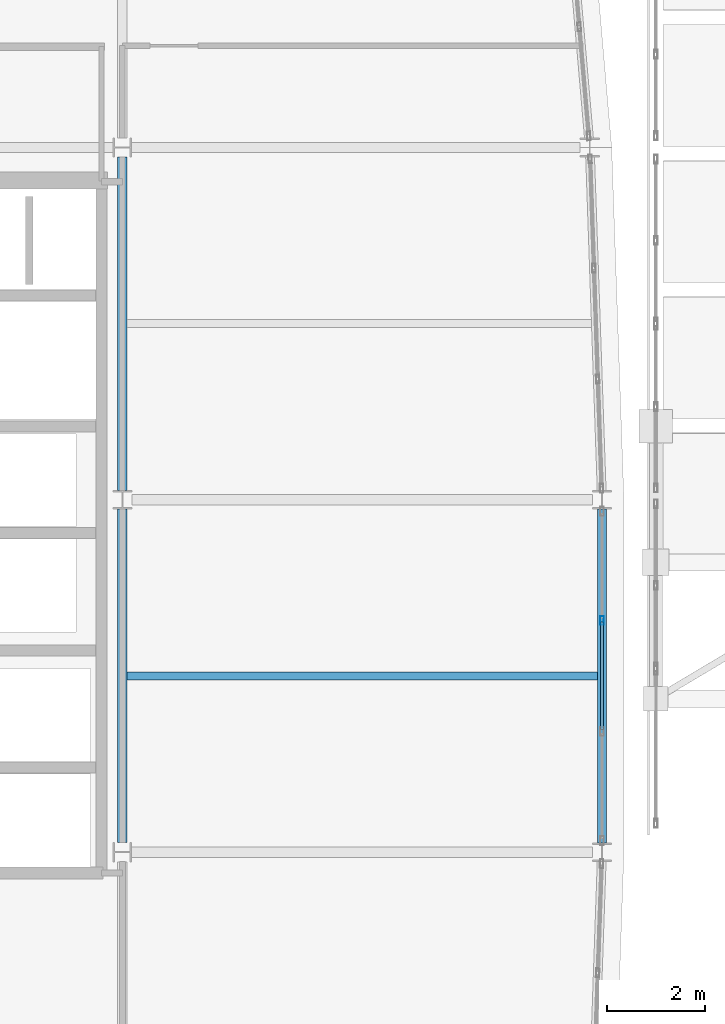
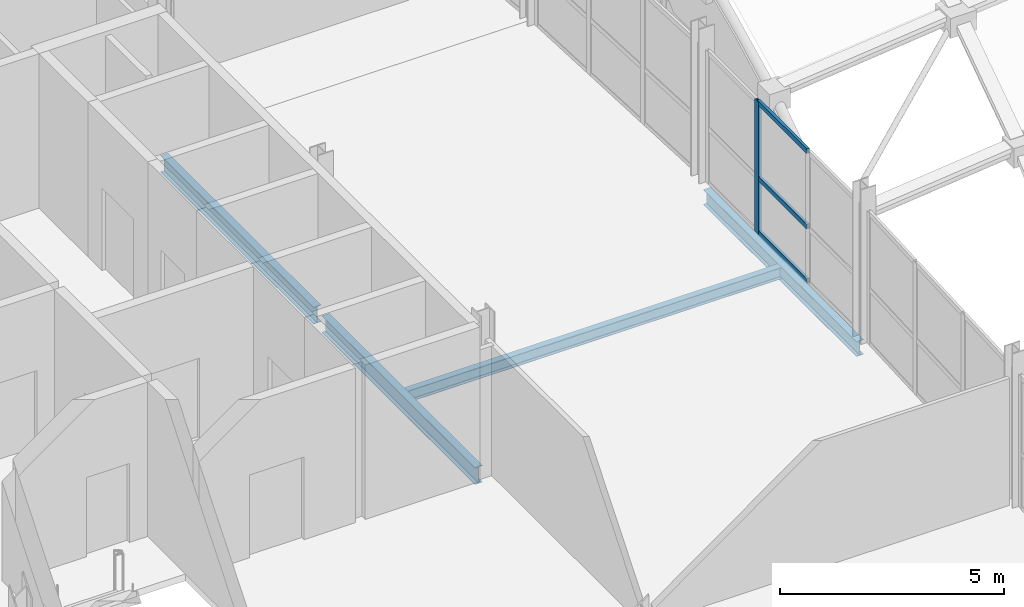
# One storey, part 19 of 65: 4 beams, 4 members, 1 element without a shape of its own.
"""IFC4 building model written with IfcOpenShell, lengths in metres."""

from ifc_helpers import new_model, si_unit, direction, frame, origin, origin_2d, place, context, subcontext, project, spatial, hollow_rectangle, i_section, extrude, material, layer, layer_set, material_profile, profile_set, type_object, element, aggregate, save


model = new_model("IFC4")

# Units and contexts
model_context = context("Model", 3, precision=1e-05, world=origin(), true_north=direction((0.0, 1.0)))
body_context = subcontext(model_context, "Body", "Model", "MODEL_VIEW")
ifc_project = project(units=[si_unit("LENGTHUNIT", "METRE"), si_unit("AREAUNIT", "SQUARE_METRE"), si_unit("VOLUMEUNIT", "CUBIC_METRE"), si_unit("PLANEANGLEUNIT", "RADIAN"), si_unit("MASSUNIT", "GRAM", prefix="KILO")], contexts=[model_context])

# Site, building, storey
site_placement = place(None, origin())
site = spatial("IfcSite", under=ifc_project, at=site_placement, CompositionType="ELEMENT")
building_placement = place(site_placement, origin())
building = spatial("IfcBuilding", under=site, at=building_placement, Name="Quillay Park Conservatory", CompositionType="ELEMENT")
storey_placement = place(building_placement, frame((0.0, 0.0, 14.10009765625)))
storey = spatial("IfcBuildingStorey", under=building, at=storey_placement, Name="L03", CompositionType="ELEMENT", Elevation=14.10009765625)

# Beam
ifc_material_1 = material(Name="Steel ASTM A992 Grade 50", Category="steel")
ifc_material_profile_1 = material_profile(ifc_material_1, i_section(OverallWidth=0.166015625, OverallDepth=0.31298828125, WebThickness=0.006591796875, FlangeThickness=0.01123046875, FilletRadius=0.010009765625, at=origin_2d()), Name="W310x45")
ifc_profile_set_1 = profile_set([ifc_material_profile_1], Name="Steel ASTM A992 Grade 50")
beam_type_1 = type_object("IfcBeamType", Name="COMPOSITE FLOOR JOIST W310 X45", PredefinedType="JOIST", material=ifc_profile_set_1)
beam_1_placement = place(storey_placement, frame((19.845947265625, 88.800048828125, -0.341552734375), z_axis=(1.0, 0.0, 0.0), x_axis=(0.0, 1.0, 0.0)))
element("IfcBeam", 1, at=beam_1_placement, inside=storey, type_object=beam_type_1, Name="L03 beam BM-J-0291", PredefinedType="JOIST", context=body_context, shape_type="SweptSolid", body=[
    extrude(i_section(OverallWidth=0.166015625, OverallDepth=0.31298828125, WebThickness=0.006591796875, FlangeThickness=0.01123046875, FilletRadius=0.010009765625, at=origin_2d()), origin(), (0.0, 0.0, 1.0), 9.614013671875),
])

# Curtain wall, members
ifc_material_2 = material(Name="Thermally Broken Anodised Aluminium 6063-T6", Category="aluminium")
ifc_layer = layer(ifc_material_2, 0.179931640625)
ifc_layer_set = layer_set([ifc_layer], Name="UNITISED CURTAIN WALL TOWER (Thermally Broken Anodised Aluminium 6063-T6)")
curtain_wall_type = type_object("IfcCurtainWallType", Name="UNITISED CURTAIN WALL TOWER", PredefinedType="USERDEFINED", material=ifc_layer_set)
curtain_wall_placement = place(storey_placement, origin())
curtain_wall = element("IfcCurtainWall", 2, at=curtain_wall_placement, inside=storey, type_object=curtain_wall_type, Name="L03 Unitised Curtain Wall 031", ObjectType="UNITISED CURTAIN WALL", PredefinedType="USERDEFINED")
ifc_material_3 = material(Name="Thermally Broken Anodised Aluminium 6063-T6", Category="aluminium")
ifc_material_profile_2 = material_profile(ifc_material_3, hollow_rectangle(XDim=0.070068359375, YDim=0.179931640625, WallThickness=0.00390625, at=origin_2d()), Name="AL70x180x4")
ifc_profile_set_2 = profile_set([ifc_material_profile_2], Name="Thermally Broken Anodised Aluminium 6063-T6")
member_type_1 = type_object("IfcMemberType", Name="CURTAIN WALL MULLION 70 X180", PredefinedType="MULLION", material=ifc_profile_set_2)
member_1_placement = place(storey_placement, frame((29.550048828125, 89.933349609375, 0.0), z_axis=(0.0, 0.0, 1.0), x_axis=(1.0, 0.0, 0.0)))
member_1 = element("IfcMember", 3, at=member_1_placement, type_object=member_type_1, Name="CW-T1 mullion 2", PredefinedType="MULLION", context=body_context, shape_type="SweptSolid", body=[
    extrude(hollow_rectangle(XDim=0.070068359375, YDim=0.179931640625, WallThickness=0.00390625, at=origin_2d()), origin(), (0.0, 0.0, 1.0), 3.598876953125),
])
ifc_material_4 = material(Name="Thermally Broken Anodised Aluminium 6063-T6", Category="aluminium")
ifc_material_profile_3 = material_profile(ifc_material_4, hollow_rectangle(XDim=0.070068359375, YDim=0.1298828125, WallThickness=0.003173828125, at=origin_2d()), Name="AL70x130x3.2")
ifc_profile_set_3 = profile_set([ifc_material_profile_3], Name="Thermally Broken Anodised Aluminium 6063-T6")
member_type_2 = type_object("IfcMemberType", Name="CURTAIN WALL TRANSOM 70 X130", PredefinedType="USERDEFINED", material=ifc_profile_set_3)
member_2_placement = place(storey_placement, frame((29.550048828125, 89.8984375, 0.034912109375), z_axis=(0.0, -1.0, 0.0), x_axis=(1.0, 0.0, 0.0)))
member_2 = element("IfcMember", 4, at=member_2_placement, type_object=member_type_2, Name="CW-T1 transom 2.1", ObjectType="TRANSOM", PredefinedType="USERDEFINED", context=body_context, shape_type="SweptSolid", body=[
    extrude(hollow_rectangle(XDim=0.070068359375, YDim=0.1298828125, WallThickness=0.003173828125, at=origin_2d()), origin(), (0.0, 0.0, 1.0), 2.19677734375),
])
member_3_placement = place(storey_placement, frame((29.550048828125, 89.8984375, 1.511474609375), z_axis=(0.0, -1.0, 0.0), x_axis=(1.0, 0.0, 0.0)))
member_3 = element("IfcMember", 5, at=member_3_placement, type_object=member_type_2, Name="CW-T1 transom 2.2", ObjectType="TRANSOM", PredefinedType="USERDEFINED", context=body_context, shape_type="SweptSolid", body=[
    extrude(hollow_rectangle(XDim=0.070068359375, YDim=0.1298828125, WallThickness=0.003173828125, at=origin_2d()), origin(), (0.0, 0.0, 1.0), 2.19677734375),
])
member_4_placement = place(storey_placement, frame((29.550048828125, 89.8984375, 3.56396484375), z_axis=(0.0, -1.0, 0.0), x_axis=(1.0, 0.0, 0.0)))
member_4 = element("IfcMember", 6, at=member_4_placement, type_object=member_type_2, Name="CW-T1 transom 2.3", ObjectType="TRANSOM", PredefinedType="USERDEFINED", context=body_context, shape_type="SweptSolid", body=[
    extrude(hollow_rectangle(XDim=0.070068359375, YDim=0.1298828125, WallThickness=0.003173828125, at=origin_2d()), origin(), (0.0, 0.0, 1.0), 2.19677734375),
])
aggregate(curtain_wall, [member_1, member_2, member_3, member_4])

# Beams
ifc_material_5 = material(Name="Steel ASTM A992 Grade 50", Category="steel")
ifc_material_profile_4 = material_profile(ifc_material_5, i_section(OverallWidth=0.179931640625, OverallDepth=0.4130859375, WebThickness=0.009765625, FlangeThickness=0.01611328125, FilletRadius=0.011962890625, at=origin_2d()), Name="W410x74")
ifc_profile_set_4 = profile_set([ifc_material_profile_4], Name="Steel ASTM A992 Grade 50")
beam_type_2 = type_object("IfcBeamType", Name="PERIMETER SPANDREL BEAM W410 X74", PredefinedType="SPANDREL", material=ifc_profile_set_4)
beam_2_placement = place(storey_placement, frame((29.550048828125, 85.389892578125, -0.3916015625), z_axis=(0.0, 1.0, 0.0), x_axis=(-1.0, 0.0, 0.0)))
element("IfcBeam", 7, at=beam_2_placement, inside=storey, type_object=beam_type_2, Name="L03 beam BM-SPE-0287", PredefinedType="SPANDREL", context=body_context, shape_type="SweptSolid", body=[
    extrude(i_section(OverallWidth=0.179931640625, OverallDepth=0.4130859375, WebThickness=0.009765625, FlangeThickness=0.01611328125, FilletRadius=0.011962890625, at=origin_2d()), origin(), (0.0, 0.0, 1.0), 6.820068359375),
])
ifc_material_6 = material(Name="Steel ASTM A992 Grade 50", Category="steel")
ifc_material_profile_5 = material_profile(ifc_material_6, i_section(OverallWidth=0.19189453125, OverallDepth=0.462890625, WebThickness=0.010498046875, FlangeThickness=0.017578125, FilletRadius=0.012939453125, at=origin_2d()), Name="W460x89")
ifc_profile_set_5 = profile_set([ifc_material_profile_5], Name="Steel ASTM A992 Grade 50")
beam_type_3 = type_object("IfcBeamType", Name="PRIMARY FLOOR GIRDER W460 X89", PredefinedType="BEAM", material=ifc_profile_set_5)
for number, where, z_axis, x_axis, name in (
    (8, (19.75, 85.3974609375, -0.41650390625), (0.0, 1.0, 0.0), (-1.0, 0.0, 0.0), "L03 beam BM-GNS-0289"),
    (9, (19.75, 92.590087890625, -0.41650390625), (0.0, 1.0, 0.0), (-1.0, 0.0, 0.0), "L03 beam BM-GNS-0295"),
):
    element("IfcBeam", number, at=place(storey_placement, frame(where, z_axis=z_axis, x_axis=x_axis)), inside=storey, type_object=beam_type_3, Name=name, PredefinedType="BEAM", context=body_context, shape_type="SweptSolid", body=[
        extrude(i_section(OverallWidth=0.19189453125, OverallDepth=0.462890625, WebThickness=0.010498046875, FlangeThickness=0.017578125, FilletRadius=0.012939453125, at=origin_2d()), origin(), (0.0, 0.0, 1.0), 6.8125),
    ])

save(model, "model.ifc")
